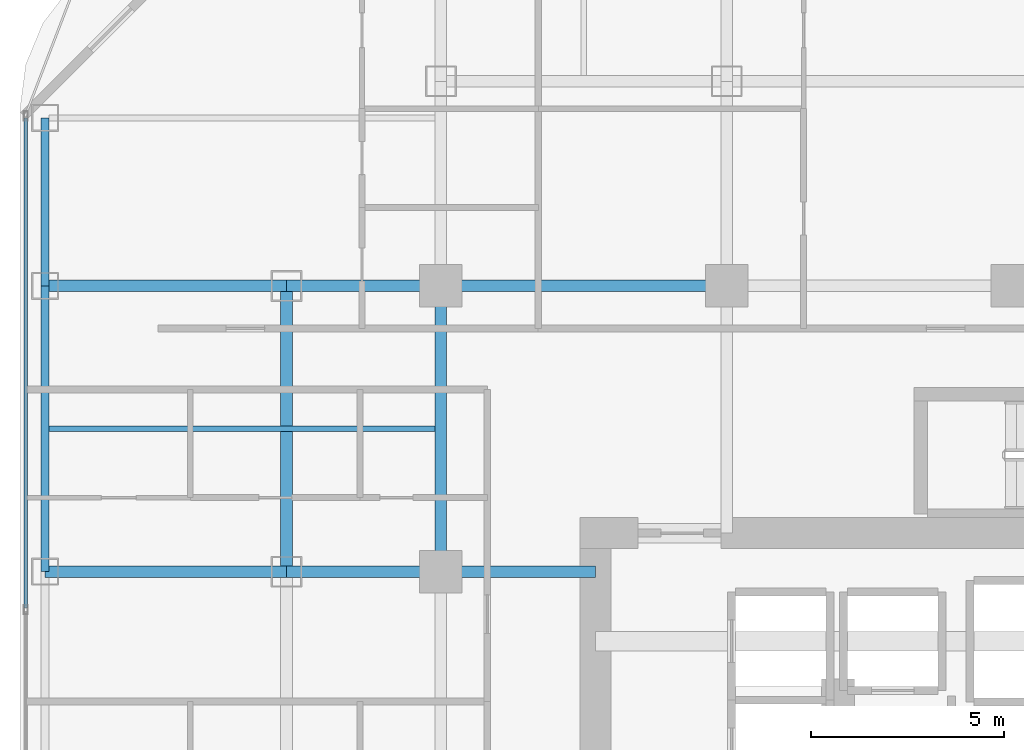
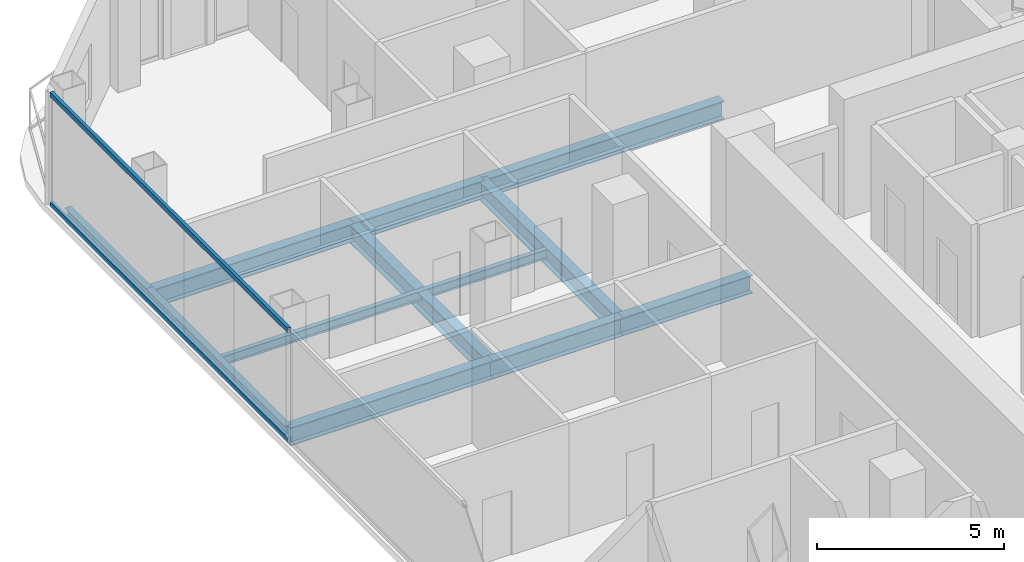
# One storey, part 10 of 26: 11 beams, 2 members, 1 element without a shape of its own.
"""IFC4 building model written with IfcOpenShell, lengths in metres."""

import ifcopenshell
import ifcopenshell.guid

model = None  # the IFC model being written
_history = None  # IfcOwnerHistory: only IFC2X3 demands one
_inside = {}  # id of a spatial element -> (the spatial element, [elements in it])
_under = {}  # id of a project, library or spatial element -> (it, [spatial elements below it])
_declared = {}  # id of a project -> (the project, [libraries it declares])
_typed = {}  # id of a type object -> (the type object, [elements of that type])
_made_of = {}  # id of a material, layer set ... -> (it, [elements and type objects made of it])


def new_model(schema):
    """Start an empty IFC model of exactly this schema.

    Asked for "IFC4X3", IfcOpenShell would pick the latest addendum, in which some entities
    have other attributes; the version numbers below select the first issue.
    IFC2X3 requires an IfcOwnerHistory on every rooted entity: one is made here for all.
    """
    global model, _history
    if schema == "IFC4X3":
        model = ifcopenshell.file(schema_version=(4, 3, 0, 0))
    else:
        model = ifcopenshell.file(schema=schema)
    _inside.clear()
    _under.clear()
    _declared.clear()
    _typed.clear()
    _made_of.clear()
    _history = None
    if model.schema == "IFC2X3":
        org = make("IfcOrganization", Name="unknown")
        user = make(
            "IfcPersonAndOrganization",
            ThePerson=make("IfcPerson", FamilyName="unknown"),
            TheOrganization=org,
        )
        app = make(
            "IfcApplication",
            ApplicationDeveloper=org,
            Version="unknown",
            ApplicationFullName="unknown",
            ApplicationIdentifier="unknown",
        )
        _history = make(
            "IfcOwnerHistory",
            OwningUser=user,
            OwningApplication=app,
            ChangeAction="ADDED",
            CreationDate=0,
        )
    return model


def make(cls, **values):
    """One entity of the class cls with the attributes given. An attribute that is None is left unset."""
    return model.create_entity(
        cls, **{name: value for name, value in values.items() if value is not None}
    )


def rooted(cls, **values):
    """An entity with a GlobalId (a new one), such as an element, a storey or a relation."""
    return make(cls, GlobalId=ifcopenshell.guid.new(), OwnerHistory=_history, **values)


def si_unit(unit_type, name, prefix=None):
    """IfcSIUnit, for example si_unit("LENGTHUNIT", "METRE", prefix="MILLI")."""
    return make("IfcSIUnit", UnitType=unit_type, Prefix=prefix, Name=name)


def assignment(units):
    """IfcUnitAssignment: the units of a project."""
    return None if units is None else make("IfcUnitAssignment", Units=units)


def point(xyz):
    """IfcCartesianPoint."""
    return None if xyz is None else make("IfcCartesianPoint", Coordinates=xyz)


def direction(xyz):
    """IfcDirection."""
    return None if xyz is None else make("IfcDirection", DirectionRatios=xyz)


def frame(location, z_axis=None, x_axis=None):
    """IfcAxis2Placement3D, a coordinate frame: its origin and axes. An axis left out is left unset."""
    return make(
        "IfcAxis2Placement3D",
        Location=point(location),
        Axis=direction(z_axis),
        RefDirection=direction(x_axis),
    )


def frame_2d(location, x_axis=None):
    """IfcAxis2Placement2D, a coordinate frame in the plane: its origin and x axis."""
    return make(
        "IfcAxis2Placement2D", Location=point(location), RefDirection=direction(x_axis)
    )


def origin():
    """The frame at (0, 0, 0) with its axes left unset."""
    return frame((0.0, 0.0, 0.0))


def origin_2d():
    """The frame at (0, 0) in the plane with its x axis left unset."""
    return frame_2d((0.0, 0.0))


def place(relative_to, where):
    """IfcLocalPlacement: puts the frame where relative to a parent placement (None: the world)."""
    return make(
        "IfcLocalPlacement", PlacementRelTo=relative_to, RelativePlacement=where
    )


def context(
    kind, dimensions, precision=None, world=None, true_north=None, identifier=None
):
    """IfcGeometricRepresentationContext, for example the 3D "Model" context."""
    return make(
        "IfcGeometricRepresentationContext",
        ContextIdentifier=identifier,
        ContextType=kind,
        CoordinateSpaceDimension=dimensions,
        Precision=precision,
        WorldCoordinateSystem=world,
        TrueNorth=true_north,
    )


def subcontext(parent, identifier, kind, view, scale=None):
    """IfcGeometricRepresentationSubContext, for example "Body" below "Model"."""
    return make(
        "IfcGeometricRepresentationSubContext",
        ContextIdentifier=identifier,
        ContextType=kind,
        ParentContext=parent,
        TargetScale=scale,
        TargetView=view,
    )


def project(units=None, contexts=None):
    """IfcProject with its units and contexts."""
    return rooted(
        "IfcProject",
        Name="project",
        RepresentationContexts=contexts,
        UnitsInContext=assignment(units),
    )


def spatial(cls, under=None, at=None, **own):
    """A site, building, storey or space (cls), placed at a placement, below another one or the project."""
    s = rooted(cls, ObjectPlacement=at, **own)
    if under is not None:
        _under.setdefault(under.id(), (under, []))[1].append(s)
    return s


def profile(cls, at=None, kind="AREA", **sizes):
    """A parametric profile (cls). Its sizes go by their IFC names, for example OverallWidth=200.0."""
    return make(cls, ProfileType=kind, Position=at, **sizes)


def hollow_rectangle(**sizes):
    """IfcRectangleHollowProfileDef."""
    return profile("IfcRectangleHollowProfileDef", **sizes)


def i_section(**sizes):
    """IfcIShapeProfileDef."""
    return profile("IfcIShapeProfileDef", **sizes)


def extrude(swept, where, along, depth):
    """IfcExtrudedAreaSolid: the profile swept, set in the frame where, extruded along a direction by depth."""
    return make(
        "IfcExtrudedAreaSolid",
        SweptArea=swept,
        Position=where,
        ExtrudedDirection=direction(along),
        Depth=depth,
    )


def shape(context_of_items, identifier, shape_type, items):
    """IfcShapeRepresentation: the items that make up one representation, for example the "Body"."""
    return make(
        "IfcShapeRepresentation",
        ContextOfItems=context_of_items,
        RepresentationIdentifier=identifier,
        RepresentationType=shape_type,
        Items=items,
    )


def material(Name=None, Category=None):
    """IfcMaterial."""
    return make("IfcMaterial", Name=Name, Category=Category)


def layer(
    of_material, thickness, ventilated=None, Name=None, Category=None, Priority=None
):
    """IfcMaterialLayer: one layer of a wall or slab, of a material (None: an air gap)."""
    return make(
        "IfcMaterialLayer",
        Material=of_material,
        LayerThickness=thickness,
        IsVentilated=ventilated,
        Name=Name,
        Category=Category,
        Priority=Priority,
    )


def layer_set(layers, Name=None):
    """IfcMaterialLayerSet."""
    return make("IfcMaterialLayerSet", MaterialLayers=layers, LayerSetName=Name)


def material_profile(
    of_material, cross_section, Name=None, Category=None, Priority=None
):
    """IfcMaterialProfile: a cross section and its material."""
    return make(
        "IfcMaterialProfile",
        Name=Name,
        Material=of_material,
        Profile=cross_section,
        Priority=Priority,
        Category=Category,
    )


def profile_set(profiles, Name=None, composite=None):
    """IfcMaterialProfileSet."""
    return make(
        "IfcMaterialProfileSet",
        Name=Name,
        MaterialProfiles=profiles,
        CompositeProfile=composite,
    )


def made_of(thing, what):
    """Note that an element or type object is made of a material, layer set ...; save() writes the relation."""
    if what is not None:
        _made_of.setdefault(what.id(), (what, []))[1].append(thing)
    return thing


def type_object(cls, material=None, **own):
    """A type object (cls), such as IfcWallType, which elements share."""
    return made_of(rooted(cls, **own), material)


def element(
    cls,
    number,
    at=None,
    inside=None,
    cuts=None,
    type_object=None,
    material=None,
    context=None,
    identifier="Body",
    shape_type=None,
    held_by="IfcProductDefinitionShape",
    body=None,
    shapes=None,
    **own,
):
    """One element of the class cls, such as IfcWall. Its Tag is "e" and its number.

    at: its placement. inside: the storey or other place that contains it. cuts: it is an
    opening in that element (IfcRelVoidsElement). A single representation is given by context,
    identifier, shape_type and body (its items); several are given by shapes. held_by: the class
    of the entity that holds the representations. save() writes the other relations.
    """
    e = rooted(cls, Tag="e%d" % number, ObjectPlacement=at, **own)
    if body is not None:
        shapes = [shape(context, identifier, shape_type, body)]
    if shapes is not None:
        e.Representation = make(held_by, Representations=shapes)
    if inside is not None:
        _inside.setdefault(inside.id(), (inside, []))[1].append(e)
    if cuts is not None:
        rooted(
            "IfcRelVoidsElement", RelatingBuildingElement=cuts, RelatedOpeningElement=e
        )
    if type_object is not None:
        _typed.setdefault(type_object.id(), (type_object, []))[1].append(e)
    return made_of(e, material)


def aggregate(whole, parts):
    """IfcRelAggregates: a whole, such as a stair, and the parts it consists of."""
    return rooted("IfcRelAggregates", RelatingObject=whole, RelatedObjects=parts)


def save(model, path):
    """Write the relations noted so far, then the file.

    IfcRelAggregates (storeys below a building ...), IfcRelContainedInSpatialStructure (elements
    in a storey), IfcRelDefinesByType, IfcRelAssociatesMaterial and IfcRelDeclares: one each for
    every whole, place, type object, material and project.
    """
    for whole, parts in _under.values():
        aggregate(whole, parts)
    for where, things in _inside.values():
        rooted(
            "IfcRelContainedInSpatialStructure",
            RelatedElements=things,
            RelatingStructure=where,
        )
    for kind, things in _typed.values():
        rooted("IfcRelDefinesByType", RelatedObjects=things, RelatingType=kind)
    for what, things in _made_of.values():
        rooted("IfcRelAssociatesMaterial", RelatedObjects=things, RelatingMaterial=what)
    for by, libraries in _declared.values():
        rooted("IfcRelDeclares", RelatingContext=by, RelatedDefinitions=libraries)
    model.write(path)


model = new_model("IFC4")

# Units and contexts
model_context = context("Model", 3, precision=1e-05, world=origin(), true_north=direction((0.0, 1.0)))
body_context = subcontext(model_context, "Body", "Model", "MODEL_VIEW")
ifc_project = project(units=[si_unit("LENGTHUNIT", "METRE"), si_unit("AREAUNIT", "SQUARE_METRE"), si_unit("VOLUMEUNIT", "CUBIC_METRE"), si_unit("PLANEANGLEUNIT", "RADIAN"), si_unit("MASSUNIT", "GRAM", prefix="KILO")], contexts=[model_context])

# Site, building, storey
site_placement = place(None, origin())
site = spatial("IfcSite", under=ifc_project, at=site_placement, CompositionType="ELEMENT")
building_placement = place(site_placement, origin())
building = spatial("IfcBuilding", under=site, at=building_placement, Name="Khorvyn Point Tower", CompositionType="ELEMENT")
storey_placement = place(building_placement, frame((0.0, 0.0, 183.60009765625)))
storey = spatial("IfcBuildingStorey", under=building, at=storey_placement, Name="L45", CompositionType="ELEMENT", Elevation=183.60009765625)

# Curtain wall, members
ifc_material_1 = material(Name="Anodised aluminium 6063-T6 and laminated Low-E glass", Category="aluminium")
ifc_layer = layer(ifc_material_1, 0.18994140625)
ifc_layer_set = layer_set([ifc_layer], Name="Stick-Built Acoustic Curtain Wall CW-SYS-03")
curtain_wall_type = type_object("IfcCurtainWallType", Name="Stick-Built Acoustic Curtain Wall CW-SYS-03", PredefinedType="NOTDEFINED", material=ifc_layer_set)
curtain_wall_placement = place(storey_placement, origin())
curtain_wall = element("IfcCurtainWall", 1, at=curtain_wall_placement, inside=storey, type_object=curtain_wall_type, Name="Curtain Wall", PredefinedType="NOTDEFINED")
ifc_material_2 = material(Name="Anodised aluminium 6063-T6", Category="aluminium")
ifc_material_profile_1 = material_profile(ifc_material_2, hollow_rectangle(XDim=0.10009765625, YDim=0.159912109375, WallThickness=0.00439453125, at=origin_2d()))
ifc_profile_set_1 = profile_set([ifc_material_profile_1], Name="Anodised aluminium 6063-T6 ALU-TRN-100x160")
member_type = type_object("IfcMemberType", Name="Anodised Aluminium 6063-T6 Transom ALU-TRN-100x160", PredefinedType="USERDEFINED", material=ifc_profile_set_1)
member_1_placement = place(storey_placement, frame((-25.550048828125, 6.466552734375, 0.0498046875), z_axis=(0.0, 1.0, 0.0), x_axis=(-1.0, 0.0, 0.0)))
member_1 = element("IfcMember", 2, at=member_1_placement, type_object=member_type, Name="Transom", ObjectType="TRANSOM", PredefinedType="USERDEFINED", context=body_context, shape_type="SweptSolid", body=[
    extrude(hollow_rectangle(XDim=0.10009765625, YDim=0.159912109375, WallThickness=0.00439453125, at=origin_2d()), origin(), (0.0, 0.0, 1.0), 12.683349609375),
])
member_2_placement = place(storey_placement, frame((-25.550048828125, 6.466552734375, 3.6298828125), z_axis=(0.0, 1.0, 0.0), x_axis=(-1.0, 0.0, 0.0)))
member_2 = element("IfcMember", 3, at=member_2_placement, type_object=member_type, Name="Transom", ObjectType="TRANSOM", PredefinedType="USERDEFINED", context=body_context, shape_type="SweptSolid", body=[
    extrude(hollow_rectangle(XDim=0.10009765625, YDim=0.159912109375, WallThickness=0.00439453125, at=origin_2d()), origin(), (0.0, 0.0, 1.0), 12.683349609375),
])
aggregate(curtain_wall, [member_1, member_2])

# Beams
ifc_material_3 = material(Name="Steel S355", Category="steel")
ifc_material_profile_2 = material_profile(ifc_material_3, i_section(OverallWidth=0.300048828125, OverallDepth=0.587890625, WebThickness=0.011962890625, FlangeThickness=0.02001953125, at=origin_2d()))
ifc_profile_set_2 = profile_set([ifc_material_profile_2], Name="Steel S355 H588x300x12x20")
beam_type_1 = type_object("IfcBeamType", Name="Steel S355 Beam H588x300x12x20", PredefinedType="BEAM", material=ifc_profile_set_2)
beam_1_placement = place(storey_placement, frame((-25.050048828125, 14.800048828125, -0.51416015625), z_axis=(1.0, 0.0, 0.0), x_axis=(0.0, 1.0, 0.0)))
element("IfcBeam", 4, at=beam_1_placement, inside=storey, type_object=beam_type_1, Name="Beam", PredefinedType="BEAM", context=body_context, shape_type="SweptSolid", body=[
    extrude(i_section(OverallWidth=0.300048828125, OverallDepth=0.587890625, WebThickness=0.011962890625, FlangeThickness=0.02001953125, at=origin_2d()), origin(), (0.0, 0.0, 1.0), 6.25),
])
beam_2_placement = place(storey_placement, frame((-18.800048828125, 14.800048828125, -0.51416015625), z_axis=(1.0, 0.0, 0.0), x_axis=(0.0, 1.0, 0.0)))
element("IfcBeam", 5, at=beam_2_placement, inside=storey, type_object=beam_type_1, Name="Beam", PredefinedType="BEAM", context=body_context, shape_type="SweptSolid", body=[
    extrude(i_section(OverallWidth=0.300048828125, OverallDepth=0.587890625, WebThickness=0.011962890625, FlangeThickness=0.02001953125, at=origin_2d()), origin(), (0.0, 0.0, 1.0), 4.0),
])
beam_3_placement = place(storey_placement, frame((-14.800048828125, 14.800048828125, -0.51416015625), z_axis=(1.0, 0.0, 0.0), x_axis=(0.0, 1.0, 0.0)))
element("IfcBeam", 6, at=beam_3_placement, inside=storey, type_object=beam_type_1, Name="Beam", PredefinedType="BEAM", context=body_context, shape_type="SweptSolid", body=[
    extrude(i_section(OverallWidth=0.300048828125, OverallDepth=0.587890625, WebThickness=0.011962890625, FlangeThickness=0.02001953125, at=origin_2d()), origin(), (0.0, 0.0, 1.0), 7.400146484375),
])
beam_4_placement = place(storey_placement, frame((-25.050048828125, 7.39990234375, -0.51416015625), z_axis=(1.0, 0.0, 0.0), x_axis=(0.0, 1.0, 0.0)))
element("IfcBeam", 7, at=beam_4_placement, inside=storey, type_object=beam_type_1, Name="Beam", PredefinedType="BEAM", context=body_context, shape_type="SweptSolid", body=[
    extrude(i_section(OverallWidth=0.300048828125, OverallDepth=0.587890625, WebThickness=0.011962890625, FlangeThickness=0.02001953125, at=origin_2d()), origin(), (0.0, 0.0, 1.0), 6.25),
])
for number, where, z_axis, x_axis, name in (
    (8, (-18.800048828125, 7.39990234375, -0.51416015625), (1.0, 0.0, 0.0), (0.0, 1.0, 0.0), "Beam"),
    (9, (-14.800048828125, 7.39990234375, -0.51416015625), (1.0, 0.0, 0.0), (0.0, 1.0, 0.0), "Beam"),
):
    element("IfcBeam", number, at=place(storey_placement, frame(where, z_axis=z_axis, x_axis=x_axis)), inside=storey, type_object=beam_type_1, Name=name, PredefinedType="BEAM", context=body_context, shape_type="SweptSolid", body=[
        extrude(i_section(OverallWidth=0.300048828125, OverallDepth=0.587890625, WebThickness=0.011962890625, FlangeThickness=0.02001953125, at=origin_2d()), origin(), (0.0, 0.0, 1.0), 4.0),
    ])
for number, where, z_axis, x_axis, name in (
    (10, (-14.800048828125, 7.39990234375, -0.51416015625), (0.0, 1.0, 0.0), (-1.0, 0.0, 0.0), "Beam"),
    (11, (-18.800048828125, 7.39990234375, -0.51416015625), (0.0, 1.0, 0.0), (-1.0, 0.0, 0.0), "Beam"),
):
    element("IfcBeam", number, at=place(storey_placement, frame(where, z_axis=z_axis, x_axis=x_axis)), inside=storey, type_object=beam_type_1, Name=name, PredefinedType="BEAM", context=body_context, shape_type="SweptSolid", body=[
        extrude(i_section(OverallWidth=0.300048828125, OverallDepth=0.587890625, WebThickness=0.011962890625, FlangeThickness=0.02001953125, at=origin_2d()), origin(), (0.0, 0.0, 1.0), 7.400146484375),
    ])
ifc_material_profile_3 = material_profile(ifc_material_3, i_section(OverallWidth=0.14990234375, OverallDepth=0.300048828125, WebThickness=0.006591796875, FlangeThickness=0.009033203125, at=origin_2d()))
ifc_profile_set_3 = profile_set([ifc_material_profile_3], Name="Steel S355 H300x150x6.5x9")
beam_type_2 = type_object("IfcBeamType", Name="Steel S355 Joist H300x150x6.5x9", PredefinedType="JOIST", material=ifc_profile_set_3)
beam_5_placement = place(storey_placement, frame((-24.949951171875, 11.10009765625, -0.3701171875), z_axis=(1.0, 0.0, 0.0), x_axis=(0.0, 1.0, 0.0)))
element("IfcBeam", 12, at=beam_5_placement, inside=storey, type_object=beam_type_2, Name="Beam", PredefinedType="JOIST", context=body_context, shape_type="SweptSolid", body=[
    extrude(i_section(OverallWidth=0.14990234375, OverallDepth=0.300048828125, WebThickness=0.006591796875, FlangeThickness=0.009033203125, at=origin_2d()), origin(), (0.0, 0.0, 1.0), 10.0),
])
ifc_material_profile_4 = material_profile(ifc_material_3, i_section(OverallWidth=0.199951171875, OverallDepth=0.449951171875, WebThickness=0.009033203125, FlangeThickness=0.013916015625, at=origin_2d()))
ifc_profile_set_4 = profile_set([ifc_material_profile_4], Name="Steel S355 H450x200x9x14")
beam_type_3 = type_object("IfcBeamType", Name="Steel S355 Spandrel H450x200x9x14", PredefinedType="SPANDREL", material=ifc_profile_set_4)
beam_6_placement = place(storey_placement, frame((-25.050048828125, 7.39990234375, -0.445068359375), z_axis=(0.0, 1.0, 0.0), x_axis=(-1.0, 0.0, 0.0)))
element("IfcBeam", 13, at=beam_6_placement, inside=storey, type_object=beam_type_3, Name="Beam", PredefinedType="SPANDREL", context=body_context, shape_type="SweptSolid", body=[
    extrude(i_section(OverallWidth=0.199951171875, OverallDepth=0.449951171875, WebThickness=0.009033203125, FlangeThickness=0.013916015625, at=origin_2d()), origin(), (0.0, 0.0, 1.0), 7.400146484375),
])
beam_7_placement = place(storey_placement, frame((-25.050048828125, 14.800048828125, -0.445068359375), z_axis=(0.0, 1.0, 0.0), x_axis=(-1.0, 0.0, 0.0)))
element("IfcBeam", 14, at=beam_7_placement, inside=storey, type_object=beam_type_3, Name="Beam", PredefinedType="SPANDREL", context=body_context, shape_type="SweptSolid", body=[
    extrude(i_section(OverallWidth=0.199951171875, OverallDepth=0.449951171875, WebThickness=0.009033203125, FlangeThickness=0.013916015625, at=origin_2d()), origin(), (0.0, 0.0, 1.0), 4.349853515625),
])

save(model, "model.ifc")
